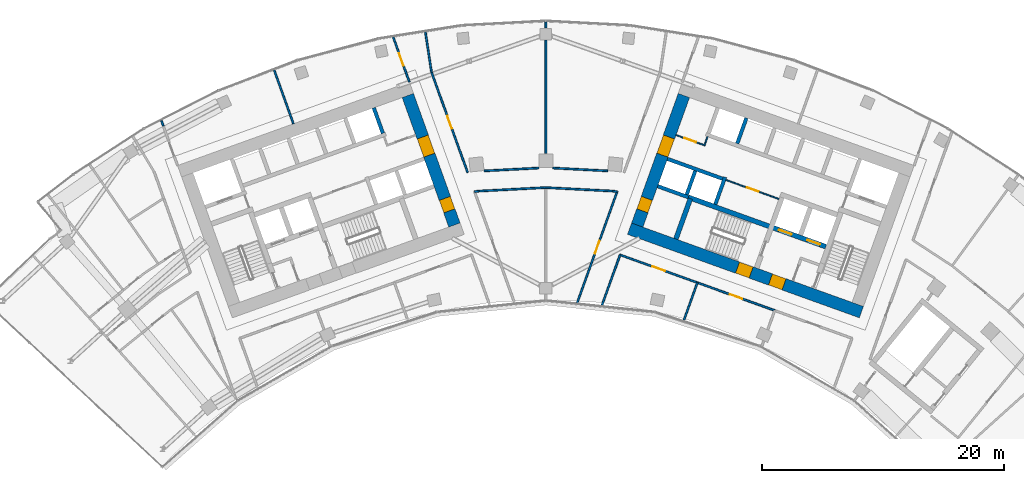
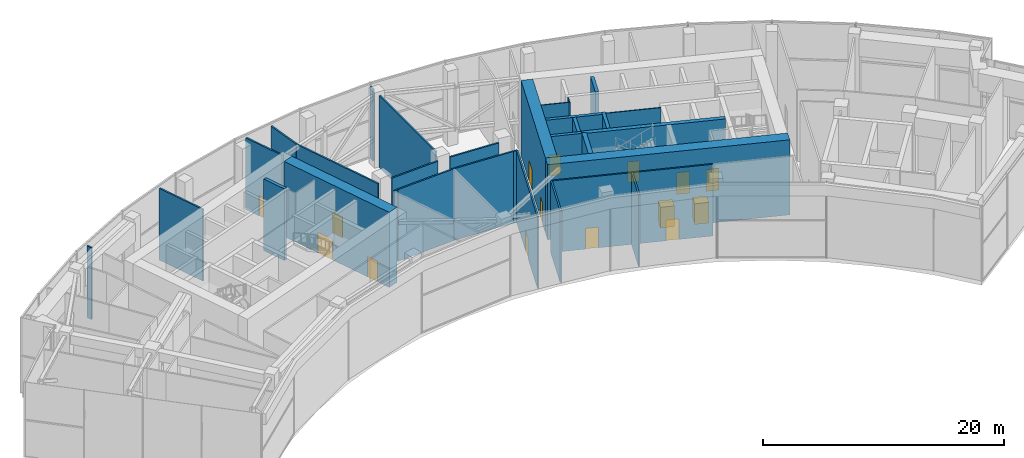
# One storey, part 21 of 26: 32 walls, 15 doors, 15 openings.
"""IFC4 building model written with IfcOpenShell, lengths in metres."""

from ifc_helpers import new_model, si_unit, direction, frame, frame_2d, origin, place, context, subcontext, project, spatial, rectangle, extrude, material, layer, layer_set, type_object, element, fill, save


model = new_model("IFC4")

# Units and contexts
model_context = context("Model", 3, precision=1e-05, world=origin(), true_north=direction((0.0, 1.0)))
body_context = subcontext(model_context, "Body", "Model", "MODEL_VIEW")
ifc_project = project(units=[si_unit("LENGTHUNIT", "METRE"), si_unit("AREAUNIT", "SQUARE_METRE"), si_unit("VOLUMEUNIT", "CUBIC_METRE"), si_unit("PLANEANGLEUNIT", "RADIAN"), si_unit("MASSUNIT", "GRAM", prefix="KILO")], contexts=[model_context])

# Site, building, storey
site_placement = place(None, origin())
site = spatial("IfcSite", under=ifc_project, at=site_placement, CompositionType="ELEMENT")
building_placement = place(site_placement, origin())
building = spatial("IfcBuilding", under=site, at=building_placement, Name="Stone Belt Terrace Tower", CompositionType="ELEMENT")
storey_placement = place(building_placement, frame((0.0, 0.0, 250.39990234375)))
storey = spatial("IfcBuildingStorey", under=building, at=storey_placement, Name="L61", CompositionType="ELEMENT", Elevation=250.39990234375)

# Wall, opening, door
ifc_material_1 = material(Name="Plasterboard partition")
ifc_layer_1 = layer(ifc_material_1, 0.10009765625)
ifc_layer_set_1 = layer_set([ifc_layer_1], Name="Core partition 100")
wall_type_1 = type_object("IfcWallType", Name="Core partition 100", PredefinedType="PARTITIONING", material=ifc_layer_set_1)
wall_1_placement = place(storey_placement, frame((19.29052734375, 51.829833984375, 0.0), z_axis=(0.0, 0.0, 1.0), x_axis=(-0.940930240745, 0.338600475563, 0.0)))
wall_1 = element("IfcWall", 1, at=wall_1_placement, inside=storey, type_object=wall_type_1, Name="Core B wall", PredefinedType="PARTITIONING", context=body_context, shape_type="SweptSolid", body=[
    extrude(rectangle(XDim=4.64990234375, YDim=0.10009765625, at=frame_2d((2.324951171875, 0.0))), origin(), (0.0, 0.0, 1.0), 7.25),
])
opening_1_placement = place(wall_1_placement, frame((1.800048828125, 0.0, 0.0)))
opening_1 = element("IfcOpeningElement", 2, at=opening_1_placement, cuts=wall_1, Name="Opening L61-C12", PredefinedType="OPENING", context=body_context, shape_type="SweptSolid", body=[
    extrude(rectangle(XDim=1.0, YDim=2.10009765625, at=frame_2d((0.5, 1.050048828125))), frame((0.0, 0.06005859375, 0.0), z_axis=(0.0, -1.0, 0.0), x_axis=(1.0, 0.0, 0.0)), (0.0, 0.0, 1.0), 0.1201171875),
])
ifc_material_2 = material(Name="Timber door leaf", Category="wood")
door_type_1 = type_object("IfcDoorType", Name="Core room door 1000", OperationType="SINGLE_SWING_LEFT", PredefinedType="DOOR", material=ifc_material_2)
door_1_placement = place(opening_1_placement, origin())
door_1 = element("IfcDoor", 3, at=door_1_placement, inside=storey, type_object=door_type_1, Name="Door to Print and copy room core B", OperationType="SINGLE_SWING_LEFT", OverallHeight=2.10009765625, OverallWidth=1.0, PredefinedType="DOOR", context=body_context, shape_type="SweptSolid", body=[
    extrude(rectangle(XDim=1.0, YDim=2.10009765625, at=frame_2d((0.5, 1.050048828125))), frame((0.0, 0.02490234375, 0.0), z_axis=(0.0, -1.0, 0.0), x_axis=(1.0, 0.0, 0.0)), (0.0, 0.0, 1.0), 0.050048828125),
])
fill(opening_1, door_1)

# Wall
wall_2_placement = place(storey_placement, frame((13.115966796875, 56.230712890625, 0.0), z_axis=(0.0, 0.0, 1.0), x_axis=(0.338481684961, 0.940972979923, 0.0)))
element("IfcWall", 4, at=wall_2_placement, inside=storey, type_object=wall_type_1, Name="Core B wall", PredefinedType="PARTITIONING", context=body_context, shape_type="SweptSolid", body=[
    extrude(rectangle(XDim=0.7998046875, YDim=0.10009765625, at=frame_2d((0.39990234375, 0.0))), origin(), (0.0, 0.0, 1.0), 7.25),
])

# Wall, opening, door
wall_3_placement = place(storey_placement, frame((13.085693359375, 56.294677734375, 0.0), z_axis=(0.0, 0.0, 1.0), x_axis=(-0.940922976849, 0.338620660383, 0.0)))
wall_3 = element("IfcWall", 5, at=wall_3_placement, inside=storey, type_object=wall_type_1, Name="Core B wall", PredefinedType="PARTITIONING", context=body_context, shape_type="SweptSolid", body=[
    extrude(rectangle(XDim=2.449951171875, YDim=0.10009765625, at=frame_2d((1.22509765625, 0.0))), origin(), (0.0, 0.0, 1.0), 7.25),
])
opening_2_placement = place(wall_3_placement, frame((0.699951171875, 0.0, 0.0)))
opening_2 = element("IfcOpeningElement", 6, at=opening_2_placement, cuts=wall_3, Name="Opening L61-C11", PredefinedType="OPENING", context=body_context, shape_type="SweptSolid", body=[
    extrude(rectangle(XDim=1.0, YDim=2.10009765625, at=frame_2d((0.5, 1.050048828125))), frame((0.0, 0.06005859375, 0.0), z_axis=(0.0, -1.0, 0.0), x_axis=(1.0, 0.0, 0.0)), (0.0, 0.0, 1.0), 0.1201171875),
])
door_2_placement = place(opening_2_placement, origin())
door_2 = element("IfcDoor", 7, at=door_2_placement, inside=storey, type_object=door_type_1, Name="Door to Communications hub room core B", OperationType="SINGLE_SWING_LEFT", OverallHeight=2.10009765625, OverallWidth=1.0, PredefinedType="DOOR", context=body_context, shape_type="SweptSolid", body=[
    extrude(rectangle(XDim=1.0, YDim=2.10009765625, at=frame_2d((0.5, 1.050048828125))), frame((0.0, 0.02490234375, 0.0), z_axis=(0.0, -1.0, 0.0), x_axis=(1.0, 0.0, 0.0)), (0.0, 0.0, 1.0), 0.050048828125),
])
fill(opening_2, door_2)

# Wall, openings, doors
ifc_material_3 = material(Name="Concrete B60", Category="concrete")
ifc_layer_2 = layer(ifc_material_3, 1.0)
ifc_layer_set_2 = layer_set([ifc_layer_2], Name="Core wall 1000 B60")
wall_type_2 = type_object("IfcWallType", Name="Core wall 1000 B60", PredefinedType="SHEAR", material=ifc_layer_set_2)
wall_4_placement = place(storey_placement, frame((-7.567138671875, 49.672119140625, 0.0), z_axis=(0.0, 0.0, 1.0), x_axis=(-0.338625431531, 0.940921259788, 0.0)))
wall_4 = element("IfcWall", 8, at=wall_4_placement, inside=storey, type_object=wall_type_2, Name="Core A wall end_b L61", PredefinedType="SHEAR", context=body_context, shape_type="SweptSolid", body=[
    extrude(rectangle(XDim=11.400146484375, YDim=1.0, at=frame_2d((5.7001953125, 0.0))), origin(), (0.0, 0.0, 1.0), 7.60009765625),
])
opening_3_placement = place(wall_4_placement, frame((6.14990234375, 0.0, 0.0)))
opening_3 = element("IfcOpeningElement", 9, at=opening_3_placement, cuts=wall_4, Name="Opening L61-C04", PredefinedType="OPENING", context=body_context, shape_type="SweptSolid", body=[
    extrude(rectangle(XDim=1.60009765625, YDim=2.10009765625, at=frame_2d((0.800048828125, 1.050048828125))), frame((0.0, 0.510009765625, 0.0), z_axis=(0.0, -1.0, 0.0), x_axis=(1.0, 0.0, 0.0)), (0.0, 0.0, 1.0), 1.02001953125),
])
opening_4_placement = place(wall_4_placement, frame((1.25, 0.0, 0.0)))
opening_4 = element("IfcOpeningElement", 10, at=opening_4_placement, cuts=wall_4, Name="Opening L61-C10", PredefinedType="OPENING", context=body_context, shape_type="SweptSolid", body=[
    extrude(rectangle(XDim=1.10009765625, YDim=2.10009765625, at=frame_2d((0.550048828125, 1.050048828125))), frame((0.0, 0.510009765625, 0.0), z_axis=(0.0, -1.0, 0.0), x_axis=(1.0, 0.0, 0.0)), (0.0, 0.0, 1.0), 1.02001953125),
])
door_type_2 = type_object("IfcDoorType", Name="Core room door 1100", OperationType="SINGLE_SWING_LEFT", PredefinedType="DOOR", material=ifc_material_2)
door_3_placement = place(opening_4_placement, origin())
door_3 = element("IfcDoor", 11, at=door_3_placement, inside=storey, type_object=door_type_2, Name="Door to Mechanical plant room core A", OperationType="SINGLE_SWING_RIGHT", OverallHeight=2.10009765625, OverallWidth=1.10009765625, PredefinedType="DOOR", context=body_context, shape_type="SweptSolid", body=[
    extrude(rectangle(XDim=1.10009765625, YDim=2.10009765625, at=frame_2d((0.550048828125, 1.050048828125))), frame((0.0, 0.47998046875, 0.0), z_axis=(0.0, -1.0, 0.0), x_axis=(1.0, 0.0, 0.0)), (0.0, 0.0, 1.0), 0.9599609375),
])
fill(opening_4, door_3)
ifc_material_4 = material(Name="Glazed aluminium door leaf", Category="aluminium")
door_type_3 = type_object("IfcDoorType", Name="Lift lobby entrance door 1600", OperationType="DOUBLE_DOOR_SINGLE_SWING", PredefinedType="DOOR", material=ifc_material_4)
door_4_placement = place(opening_3_placement, origin())
door_4 = element("IfcDoor", 12, at=door_4_placement, inside=storey, type_object=door_type_3, Name="Lift lobby entrance door core A", OperationType="DOUBLE_DOOR_SINGLE_SWING", OverallHeight=2.10009765625, OverallWidth=1.60009765625, PredefinedType="DOOR", context=body_context, shape_type="SweptSolid", body=[
    extrude(rectangle(XDim=1.60009765625, YDim=2.10009765625, at=frame_2d((0.800048828125, 1.050048828125))), frame((0.0, 0.47998046875, 0.0), z_axis=(0.0, -1.0, 0.0), x_axis=(1.0, 0.0, 0.0)), (0.0, 0.0, 1.0), 0.9599609375),
])
fill(opening_3, door_4)

wall_5_placement = place(storey_placement, frame((6.927490234375, 49.370849609375, 0.0), z_axis=(0.0, 0.0, 1.0), x_axis=(0.940921428504, -0.338624962727, 0.0)))
wall_5 = element("IfcWall", 13, at=wall_5_placement, inside=storey, type_object=wall_type_2, Name="Core B wall concave L61", PredefinedType="SHEAR", context=body_context, shape_type="SweptSolid", body=[
    extrude(rectangle(XDim=20.400146484375, YDim=1.0, at=frame_2d((10.2001953125, 0.0))), origin(), (0.0, 0.0, 1.0), 7.60009765625),
])
opening_5_placement = place(wall_5_placement, frame((12.39990234375, 0.0, 0.0)))
opening_5 = element("IfcOpeningElement", 14, at=opening_5_placement, cuts=wall_5, Name="Opening L61-C17", PredefinedType="OPENING", context=body_context, shape_type="SweptSolid", body=[
    extrude(rectangle(XDim=1.199951171875, YDim=2.10009765625, at=frame_2d((0.60009765625, 1.050048828125))), frame((0.0, 0.510009765625, 0.0), z_axis=(0.0, -1.0, 0.0), x_axis=(1.0, 0.0, 0.0)), (0.0, 0.0, 1.0), 1.02001953125),
])
opening_6_placement = place(wall_5_placement, frame((9.5, 0.0, 0.0)))
opening_6 = element("IfcOpeningElement", 15, at=opening_6_placement, cuts=wall_5, Name="Opening L61-C19", PredefinedType="OPENING", context=body_context, shape_type="SweptSolid", body=[
    extrude(rectangle(XDim=1.199951171875, YDim=2.10009765625, at=frame_2d((0.60009765625, 1.050048828125))), frame((0.0, 0.510009765625, 0.0), z_axis=(0.0, -1.0, 0.0), x_axis=(1.0, 0.0, 0.0)), (0.0, 0.0, 1.0), 1.02001953125),
])
ifc_material_5 = material(Name="Steel door leaf", Category="steel")
door_type_4 = type_object("IfcDoorType", Name="Fire-fighting lobby door 1200", OperationType="SINGLE_SWING_LEFT", PredefinedType="DOOR", material=ifc_material_5)
door_5_placement = place(opening_5_placement, origin())
door_5 = element("IfcDoor", 16, at=door_5_placement, inside=storey, type_object=door_type_4, Name="Fire-fighting lobby door core B", OperationType="SINGLE_SWING_LEFT", OverallHeight=2.10009765625, OverallWidth=1.199951171875, PredefinedType="DOOR", context=body_context, shape_type="SweptSolid", body=[
    extrude(rectangle(XDim=1.199951171875, YDim=2.10009765625, at=frame_2d((0.60009765625, 1.050048828125))), frame((0.0, 0.47998046875, 0.0), z_axis=(0.0, -1.0, 0.0), x_axis=(1.0, 0.0, 0.0)), (0.0, 0.0, 1.0), 0.9599609375),
])
fill(opening_5, door_5)
door_type_5 = type_object("IfcDoorType", Name="Stair door 1200", OperationType="SINGLE_SWING_LEFT", PredefinedType="DOOR", material=ifc_material_5)
door_6_placement = place(opening_6_placement, origin())
door_6 = element("IfcDoor", 17, at=door_6_placement, inside=storey, type_object=door_type_5, Name="Stair 2 exit door core B", OperationType="SINGLE_SWING_RIGHT", OverallHeight=2.10009765625, OverallWidth=1.199951171875, PredefinedType="DOOR", context=body_context, shape_type="SweptSolid", body=[
    extrude(rectangle(XDim=1.199951171875, YDim=2.10009765625, at=frame_2d((0.60009765625, 1.050048828125))), frame((0.0, 0.47998046875, 0.0), z_axis=(0.0, -1.0, 0.0), x_axis=(1.0, 0.0, 0.0)), (0.0, 0.0, 1.0), 0.9599609375),
])
fill(opening_6, door_6)

wall_6_placement = place(storey_placement, frame((7.567138671875, 49.672119140625, 0.0), z_axis=(0.0, 0.0, 1.0), x_axis=(0.338625431531, 0.940921259788, 0.0)))
wall_6 = element("IfcWall", 18, at=wall_6_placement, inside=storey, type_object=wall_type_2, Name="Core B wall end_a L61", PredefinedType="SHEAR", context=body_context, shape_type="SweptSolid", body=[
    extrude(rectangle(XDim=11.400146484375, YDim=1.0, at=frame_2d((5.7001953125, 0.0))), origin(), (0.0, 0.0, 1.0), 7.60009765625),
])
opening_7_placement = place(wall_6_placement, frame((6.14990234375, 0.0, 0.0)))
opening_7 = element("IfcOpeningElement", 19, at=opening_7_placement, cuts=wall_6, Name="Opening L61-C14", PredefinedType="OPENING", context=body_context, shape_type="SweptSolid", body=[
    extrude(rectangle(XDim=1.60009765625, YDim=2.10009765625, at=frame_2d((0.800048828125, 1.050048828125))), frame((0.0, 0.510009765625, 0.0), z_axis=(0.0, -1.0, 0.0), x_axis=(1.0, 0.0, 0.0)), (0.0, 0.0, 1.0), 1.02001953125),
])
opening_8_placement = place(wall_6_placement, frame((1.25, 0.0, 0.0)))
opening_8 = element("IfcOpeningElement", 20, at=opening_8_placement, cuts=wall_6, Name="Opening L61-C20", PredefinedType="OPENING", context=body_context, shape_type="SweptSolid", body=[
    extrude(rectangle(XDim=1.10009765625, YDim=2.10009765625, at=frame_2d((0.550048828125, 1.050048828125))), frame((0.0, 0.510009765625, 0.0), z_axis=(0.0, -1.0, 0.0), x_axis=(1.0, 0.0, 0.0)), (0.0, 0.0, 1.0), 1.02001953125),
])
door_7_placement = place(opening_8_placement, origin())
door_7 = element("IfcDoor", 21, at=door_7_placement, inside=storey, type_object=door_type_2, Name="Door to Mechanical plant room core B", OperationType="SINGLE_SWING_LEFT", OverallHeight=2.10009765625, OverallWidth=1.10009765625, PredefinedType="DOOR", context=body_context, shape_type="SweptSolid", body=[
    extrude(rectangle(XDim=1.10009765625, YDim=2.10009765625, at=frame_2d((0.550048828125, 1.050048828125))), frame((0.0, 0.47998046875, 0.0), z_axis=(0.0, -1.0, 0.0), x_axis=(1.0, 0.0, 0.0)), (0.0, 0.0, 1.0), 0.9599609375),
])
fill(opening_8, door_7)
door_8_placement = place(opening_7_placement, origin())
door_8 = element("IfcDoor", 22, at=door_8_placement, inside=storey, type_object=door_type_3, Name="Lift lobby entrance door core B", OperationType="DOUBLE_DOOR_SINGLE_SWING", OverallHeight=2.10009765625, OverallWidth=1.60009765625, PredefinedType="DOOR", context=body_context, shape_type="SweptSolid", body=[
    extrude(rectangle(XDim=1.60009765625, YDim=2.10009765625, at=frame_2d((0.800048828125, 1.050048828125))), frame((0.0, 0.47998046875, 0.0), z_axis=(0.0, -1.0, 0.0), x_axis=(1.0, 0.0, 0.0)), (0.0, 0.0, 1.0), 0.9599609375),
])
fill(opening_7, door_8)

# Walls
ifc_material_6 = material(Name="Concrete B80", Category="concrete")
ifc_layer_3 = layer(ifc_material_6, 0.300048828125)
ifc_layer_set_3 = layer_set([ifc_layer_3], Name="Lift shaft wall 300")
wall_type_3 = type_object("IfcWallType", Name="Lift shaft wall 300", PredefinedType="SHEAR", material=ifc_layer_set_3)
wall_7_placement = place(storey_placement, frame((-13.48828125, 57.265625, 0.0), z_axis=(0.0, 0.0, 1.0), x_axis=(-0.338631098537, 0.940919220286, 0.0)))
element("IfcWall", 23, at=wall_7_placement, inside=storey, type_object=wall_type_3, Name="Core A wall", PredefinedType="SHEAR", context=body_context, shape_type="SweptSolid", body=[
    extrude(rectangle(XDim=2.250244140625, YDim=0.300048828125, at=frame_2d((1.125, 0.0))), origin(), (0.0, 0.0, 1.0), 7.25),
])
wall_8_placement = place(storey_placement, frame((14.029052734375, 51.38525390625, 0.0), z_axis=(0.0, 0.0, 1.0), x_axis=(0.338661829791, 0.940908159728, 0.0)))
element("IfcWall", 24, at=wall_8_placement, inside=storey, type_object=wall_type_3, Name="Core B wall", PredefinedType="SHEAR", context=body_context, shape_type="SweptSolid", body=[
    extrude(rectangle(XDim=2.39990234375, YDim=0.300048828125, at=frame_2d((1.199951171875, 0.0))), origin(), (0.0, 0.0, 1.0), 7.25),
])
wall_9_placement = place(storey_placement, frame((14.6328125, 53.506103515625, 0.0), z_axis=(0.0, 0.0, 1.0), x_axis=(-0.940931684323, 0.338596464007, 0.0)))
element("IfcWall", 25, at=wall_9_placement, inside=storey, type_object=wall_type_3, Name="Core B wall", PredefinedType="SHEAR", context=body_context, shape_type="SweptSolid", body=[
    extrude(rectangle(XDim=4.849609375, YDim=0.300048828125, at=frame_2d((2.4248046875, 0.0))), origin(), (0.0, 0.0, 1.0), 7.25),
])
wall_10_placement = place(storey_placement, frame((15.8408203125, 56.419189453125, 0.0), z_axis=(0.0, 0.0, 1.0), x_axis=(0.338569601369, 0.940941350472, 0.0)))
element("IfcWall", 26, at=wall_10_placement, inside=storey, type_object=wall_type_3, Name="Core B wall", PredefinedType="SHEAR", context=body_context, shape_type="SweptSolid", body=[
    extrude(rectangle(XDim=2.249755859375, YDim=0.300048828125, at=frame_2d((1.125, 0.0))), origin(), (0.0, 0.0, 1.0), 7.25),
])
wall_11_placement = place(storey_placement, frame((11.797119140625, 51.975830078125, 0.0), z_axis=(0.0, 0.0, 1.0), x_axis=(-0.940910465161, 0.33865542451, 0.0)))
element("IfcWall", 27, at=wall_11_placement, inside=storey, type_object=wall_type_3, Name="Core B wall", PredefinedType="SHEAR", context=body_context, shape_type="SweptSolid", body=[
    extrude(rectangle(XDim=2.69970703125, YDim=0.300048828125, at=frame_2d((1.349853515625, 0.0))), origin(), (0.0, 0.0, 1.0), 7.25),
])
wall_12_placement = place(storey_placement, frame((11.659912109375, 52.184814453125, 0.0), z_axis=(0.0, 0.0, 1.0), x_axis=(0.338670064856, 0.940905195634, 0.0)))
element("IfcWall", 28, at=wall_12_placement, inside=storey, type_object=wall_type_3, Name="Core B wall", PredefinedType="SHEAR", context=body_context, shape_type="SweptSolid", body=[
    extrude(rectangle(XDim=2.099853515625, YDim=0.300048828125, at=frame_2d((1.0498046875, 0.0))), origin(), (0.0, 0.0, 1.0), 7.25),
])
ifc_material_7 = material(Name="Gypsum board partition")
ifc_layer_4 = layer(ifc_material_7, 0.14990234375)
ifc_layer_set_4 = layer_set([ifc_layer_4], Name="PARTITION 150 EI 60")
wall_type_4 = type_object("IfcWallType", Name="PARTITION 150 EI 60", PredefinedType="PARTITIONING", material=ifc_layer_set_4)
wall_13_placement = place(storey_placement, frame((-31.826904296875, 58.31298828125, 0.0), z_axis=(0.0, 0.0, 1.0), x_axis=(0.338665203484, -0.940906945425, 0.0)))
element("IfcWall", 29, at=wall_13_placement, inside=storey, type_object=wall_type_4, Name="L61/wall/i002-1", PredefinedType="PARTITIONING", context=body_context, shape_type="SweptSolid", body=[
    extrude(rectangle(XDim=0.47802734375, YDim=0.14990234375, at=frame_2d((0.239013671875, 0.0))), origin(), (0.0, 0.0, 1.0), 7.25),
])

# Wall, opening, door
wall_14_placement = place(storey_placement, frame((-11.2958984375, 61.509033203125, 0.0), z_axis=(0.0, 0.0, 1.0), x_axis=(-0.338610223579, 0.940926732795, 0.0)))
wall_14 = element("IfcWall", 30, at=wall_14_placement, inside=storey, type_object=wall_type_4, Name="L61/wall/i009", PredefinedType="PARTITIONING", context=body_context, shape_type="SweptSolid", body=[
    extrude(rectangle(XDim=3.956787109375, YDim=0.14990234375, at=frame_2d((1.978515625, 0.0))), origin(), (0.0, 0.0, 1.0), 7.25),
])
opening_9_placement = place(wall_14_placement, frame((1.428466796875, 0.0, 0.0)))
opening_9 = element("IfcOpeningElement", 31, at=opening_9_placement, cuts=wall_14, Name="Opening D-T4-05", PredefinedType="OPENING", context=body_context, shape_type="SweptSolid", body=[
    extrude(rectangle(XDim=1.10009765625, YDim=2.10009765625, at=frame_2d((0.550048828125, 1.050048828125))), frame((0.0, 0.0849609375, 0.0), z_axis=(0.0, -1.0, 0.0), x_axis=(1.0, 0.0, 0.0)), (0.0, 0.0, 1.0), 0.169921875),
])
ifc_material_8 = material(Name="Steel fire door set", Category="steel")
door_type_6 = type_object("IfcDoorType", Name="SERVICE ROOM DOOR 1100 X 2100", OperationType="NOTDEFINED", PredefinedType="DOOR", material=ifc_material_8)
door_9_placement = place(opening_9_placement, origin())
door_9 = element("IfcDoor", 32, at=door_9_placement, inside=storey, type_object=door_type_6, Name="L61/door/i05", OperationType="SINGLE_SWING_RIGHT", OverallHeight=2.10009765625, OverallWidth=1.10009765625, PredefinedType="DOOR", context=body_context, shape_type="SweptSolid", body=[
    extrude(rectangle(XDim=1.10009765625, YDim=2.10009765625, at=frame_2d((0.550048828125, 1.050048828125))), frame((0.0, 0.02490234375, 0.0), z_axis=(0.0, -1.0, 0.0), x_axis=(1.0, 0.0, 0.0)), (0.0, 0.0, 1.0), 0.050048828125),
])
fill(opening_9, door_9)

# Wall
wall_15_placement = place(storey_placement, frame((-9.971923828125, 65.65576171875, 0.0), z_axis=(0.0, 0.0, 1.0), x_axis=(0.150154488208, -0.988662545903, 0.0)))
element("IfcWall", 33, at=wall_15_placement, inside=storey, type_object=wall_type_4, Name="L61/wall/i011", PredefinedType="PARTITIONING", context=body_context, shape_type="SweptSolid", body=[
    extrude(rectangle(XDim=3.35595703125, YDim=0.14990234375, at=frame_2d((1.677978515625, 0.0))), origin(), (0.0, 0.0, 1.0), 7.25),
])

# Wall, opening, door
wall_16_placement = place(storey_placement, frame((-9.468017578125, 62.3369140625, 0.0), z_axis=(0.0, 0.0, 1.0), x_axis=(0.338603075024, -0.940929305307, 0.0)))
wall_16 = element("IfcWall", 34, at=wall_16_placement, inside=storey, type_object=wall_type_4, Name="L61/wall/i012", PredefinedType="PARTITIONING", context=body_context, shape_type="SweptSolid", body=[
    extrude(rectangle(XDim=8.839111328125, YDim=0.14990234375, at=frame_2d((4.41943359375, 0.0))), origin(), (0.0, 0.0, 1.0), 7.25),
])
opening_10_placement = place(wall_16_placement, frame((3.86962890625, 0.0, 0.0)))
opening_10 = element("IfcOpeningElement", 35, at=opening_10_placement, cuts=wall_16, Name="Opening D-T4-27", PredefinedType="OPENING", context=body_context, shape_type="SweptSolid", body=[
    extrude(rectangle(XDim=1.10009765625, YDim=2.10009765625, at=frame_2d((0.550048828125, 1.050048828125))), frame((0.0, 0.0849609375, 0.0), z_axis=(0.0, -1.0, 0.0), x_axis=(1.0, 0.0, 0.0)), (0.0, 0.0, 1.0), 0.169921875),
])
door_10_placement = place(opening_10_placement, origin())
door_10 = element("IfcDoor", 36, at=door_10_placement, inside=storey, type_object=door_type_6, Name="L61/door/i27", OperationType="SINGLE_SWING_LEFT", OverallHeight=2.10009765625, OverallWidth=1.10009765625, PredefinedType="DOOR", context=body_context, shape_type="SweptSolid", body=[
    extrude(rectangle(XDim=1.10009765625, YDim=2.10009765625, at=frame_2d((0.550048828125, 1.050048828125))), frame((0.0, 0.02490234375, 0.0), z_axis=(0.0, -1.0, 0.0), x_axis=(1.0, 0.0, 0.0)), (0.0, 0.0, 1.0), 0.050048828125),
])
fill(opening_10, door_10)

# Walls
wall_17_placement = place(storey_placement, frame((-22.492919921875, 62.4990234375, 0.0), z_axis=(0.0, 0.0, 1.0), x_axis=(0.3387158076, -0.940888729703, 0.0)))
element("IfcWall", 37, at=wall_17_placement, inside=storey, type_object=wall_type_4, Name="L61/wall/i019", PredefinedType="PARTITIONING", context=body_context, shape_type="SweptSolid", body=[
    extrude(rectangle(XDim=4.723388671875, YDim=0.14990234375, at=frame_2d((2.36181640625, 0.0))), origin(), (0.0, 0.0, 1.0), 7.25),
])
wall_18_placement = place(storey_placement, frame((6.14990234375, 47.212890625, 0.0), z_axis=(0.0, 0.0, 1.0), x_axis=(-0.338583902482, -0.940936204522, 0.0)))
element("IfcWall", 38, at=wall_18_placement, inside=storey, type_object=wall_type_4, Name="L61/wall/i020", PredefinedType="PARTITIONING", context=body_context, shape_type="SweptSolid", body=[
    extrude(rectangle(XDim=4.464111328125, YDim=0.14990234375, at=frame_2d((2.23193359375, 0.0))), origin(), (0.0, 0.0, 1.0), 7.25),
])

# Wall, opening, door
wall_19_placement = place(storey_placement, frame((2.590087890625, 43.227783203125, 0.0), z_axis=(0.0, 0.0, 1.0), x_axis=(0.33864618549, 0.940913790447, 0.0)))
wall_19 = element("IfcWall", 39, at=wall_19_placement, inside=storey, type_object=wall_type_4, Name="L61/wall/i022", PredefinedType="PARTITIONING", context=body_context, shape_type="SweptSolid", body=[
    extrude(rectangle(XDim=9.791748046875, YDim=0.14990234375, at=frame_2d((4.89599609375, 0.0))), origin(), (0.0, 0.0, 1.0), 7.25),
])
opening_11_placement = place(wall_19_placement, frame((4.345947265625, 0.0, 0.0)))
opening_11 = element("IfcOpeningElement", 40, at=opening_11_placement, cuts=wall_19, Name="Opening D-T4-26", PredefinedType="OPENING", context=body_context, shape_type="SweptSolid", body=[
    extrude(rectangle(XDim=1.10009765625, YDim=2.10009765625, at=frame_2d((0.550048828125, 1.050048828125))), frame((0.0, 0.0849609375, 0.0), z_axis=(0.0, -1.0, 0.0), x_axis=(1.0, 0.0, 0.0)), (0.0, 0.0, 1.0), 0.169921875),
])
door_11_placement = place(opening_11_placement, origin())
door_11 = element("IfcDoor", 41, at=door_11_placement, inside=storey, type_object=door_type_6, Name="L61/door/i26", OperationType="SINGLE_SWING_RIGHT", OverallHeight=2.10009765625, OverallWidth=1.10009765625, PredefinedType="DOOR", context=body_context, shape_type="SweptSolid", body=[
    extrude(rectangle(XDim=1.10009765625, YDim=2.10009765625, at=frame_2d((0.550048828125, 1.050048828125))), frame((0.0, 0.02490234375, 0.0), z_axis=(0.0, -1.0, 0.0), x_axis=(1.0, 0.0, 0.0)), (0.0, 0.0, 1.0), 0.050048828125),
])
fill(opening_11, door_11)

wall_20_placement = place(storey_placement, frame((12.552978515625, 44.902099609375, 0.0), z_axis=(0.0, 0.0, 1.0), x_axis=(-0.940912101909, 0.338650876982, 0.0)))
wall_20 = element("IfcWall", 42, at=wall_20_placement, inside=storey, type_object=wall_type_4, Name="L61/wall/i031", PredefinedType="PARTITIONING", context=body_context, shape_type="SweptSolid", body=[
    extrude(rectangle(XDim=6.80615234375, YDim=0.14990234375, at=frame_2d((3.403076171875, 0.0))), origin(), (0.0, 0.0, 1.0), 7.25),
])
opening_12_placement = place(wall_20_placement, frame((2.85302734375, 0.0, 0.0)))
opening_12 = element("IfcOpeningElement", 43, at=opening_12_placement, cuts=wall_20, Name="Opening D-T4-06", PredefinedType="OPENING", context=body_context, shape_type="SweptSolid", body=[
    extrude(rectangle(XDim=1.10009765625, YDim=2.10009765625, at=frame_2d((0.550048828125, 1.050048828125))), frame((0.0, 0.0849609375, 0.0), z_axis=(0.0, -1.0, 0.0), x_axis=(1.0, 0.0, 0.0)), (0.0, 0.0, 1.0), 0.169921875),
])
door_12_placement = place(opening_12_placement, origin())
door_12 = element("IfcDoor", 44, at=door_12_placement, inside=storey, type_object=door_type_6, Name="L61/door/i06", OperationType="SINGLE_SWING_LEFT", OverallHeight=2.10009765625, OverallWidth=1.10009765625, PredefinedType="DOOR", context=body_context, shape_type="SweptSolid", body=[
    extrude(rectangle(XDim=1.10009765625, YDim=2.10009765625, at=frame_2d((0.550048828125, 1.050048828125))), frame((0.0, 0.02490234375, 0.0), z_axis=(0.0, -1.0, 0.0), x_axis=(1.0, 0.0, 0.0)), (0.0, 0.0, 1.0), 0.050048828125),
])
fill(opening_12, door_12)

wall_21_placement = place(storey_placement, frame((18.950927734375, 42.60009765625, 0.0), z_axis=(0.0, 0.0, 1.0), x_axis=(-0.940965056221, 0.338503711903, 0.0)))
wall_21 = element("IfcWall", 45, at=wall_21_placement, inside=storey, type_object=wall_type_4, Name="L61/wall/i032", PredefinedType="PARTITIONING", context=body_context, shape_type="SweptSolid", body=[
    extrude(rectangle(XDim=6.81201171875, YDim=0.14990234375, at=frame_2d((3.406005859375, 0.0))), origin(), (0.0, 0.0, 1.0), 7.25),
])
opening_13_placement = place(wall_21_placement, frame((2.856201171875, 0.0, 0.0)))
opening_13 = element("IfcOpeningElement", 46, at=opening_13_placement, cuts=wall_21, Name="Opening D-T4-07", PredefinedType="OPENING", context=body_context, shape_type="SweptSolid", body=[
    extrude(rectangle(XDim=1.10009765625, YDim=2.10009765625, at=frame_2d((0.550048828125, 1.050048828125))), frame((0.0, 0.0849609375, 0.0), z_axis=(0.0, -1.0, 0.0), x_axis=(1.0, 0.0, 0.0)), (0.0, 0.0, 1.0), 0.169921875),
])
door_13_placement = place(opening_13_placement, origin())
door_13 = element("IfcDoor", 47, at=door_13_placement, inside=storey, type_object=door_type_6, Name="L61/door/i07", OperationType="SINGLE_SWING_LEFT", OverallHeight=2.10009765625, OverallWidth=1.10009765625, PredefinedType="DOOR", context=body_context, shape_type="SweptSolid", body=[
    extrude(rectangle(XDim=1.10009765625, YDim=2.10009765625, at=frame_2d((0.550048828125, 1.050048828125))), frame((0.0, 0.02490234375, 0.0), z_axis=(0.0, -1.0, 0.0), x_axis=(1.0, 0.0, 0.0)), (0.0, 0.0, 1.0), 0.050048828125),
])
fill(opening_13, door_13)

# Walls
wall_22_placement = place(storey_placement, frame((12.547119140625, 44.904052734375, 0.0), z_axis=(0.0, 0.0, 1.0), x_axis=(-0.338638830313, -0.940916437631, 0.0)))
element("IfcWall", 48, at=wall_22_placement, inside=storey, type_object=wall_type_4, Name="L61/wall/i034", PredefinedType="PARTITIONING", context=body_context, shape_type="SweptSolid", body=[
    extrude(rectangle(XDim=3.323486328125, YDim=0.14990234375, at=frame_2d((1.66162109375, 0.0))), origin(), (0.0, 0.0, 1.0), 7.25),
])
wall_23_placement = place(storey_placement, frame((0.0, 52.77490234375, 0.0), z_axis=(0.0, 0.0, 1.0), x_axis=(-0.998632077757, -0.052287410285, 0.0)))
element("IfcWall", 49, at=wall_23_placement, inside=storey, type_object=wall_type_4, Name="L61/wall/i070", PredefinedType="PARTITIONING", context=body_context, shape_type="SweptSolid", body=[
    extrude(rectangle(XDim=5.523681640625, YDim=0.14990234375, at=frame_2d((2.76171875, 0.0))), origin(), (0.0, 0.0, 1.0), 7.25),
])
for number, where, z_axis, x_axis, name in (
    (50, (-5.51611328125, 52.486083984375, 0.0), (0.0, 0.0, 1.0), (-0.991780421826, -0.127951533338, 0.0), "L61/wall/i071"),
    (51, (5.904052734375, 52.43603515625, 0.0), (0.0, 0.0, 1.0), (-0.991780421826, 0.127951533338, 0.0), "L61/wall/i072"),
):
    element("IfcWall", number, at=place(storey_placement, frame(where, z_axis=z_axis, x_axis=x_axis)), inside=storey, type_object=wall_type_4, Name=name, PredefinedType="PARTITIONING", context=body_context, shape_type="SweptSolid", body=[
        extrude(rectangle(XDim=0.39111328125, YDim=0.14990234375, at=frame_2d((0.195556640625, 0.0))), origin(), (0.0, 0.0, 1.0), 7.25),
    ])
wall_24_placement = place(storey_placement, frame((5.51611328125, 52.486083984375, 0.0), z_axis=(0.0, 0.0, 1.0), x_axis=(-0.998632077757, 0.052287410285, 0.0)))
element("IfcWall", 52, at=wall_24_placement, inside=storey, type_object=wall_type_4, Name="L61/wall/i073", PredefinedType="PARTITIONING", context=body_context, shape_type="SweptSolid", body=[
    extrude(rectangle(XDim=5.523681640625, YDim=0.14990234375, at=frame_2d((2.76171875, 0.0))), origin(), (0.0, 0.0, 1.0), 7.25),
])
for number, where, z_axis, x_axis, name in (
    (53, (-5.114013671875, 54.1572265625, 0.0), (0.0, 0.0, 1.0), (0.998631882583, 0.052291137769, 0.0), "L61/wall/i074"),
    (54, (0.57275390625, 54.39501953125, 0.0), (0.0, 0.0, 1.0), (0.998631882583, -0.052291137769, 0.0), "L61/wall/i075"),
):
    element("IfcWall", number, at=place(storey_placement, frame(where, z_axis=z_axis, x_axis=x_axis)), inside=storey, type_object=wall_type_4, Name=name, PredefinedType="PARTITIONING", context=body_context, shape_type="SweptSolid", body=[
        extrude(rectangle(XDim=4.54736328125, YDim=0.14990234375, at=frame_2d((2.273681640625, 0.0))), origin(), (0.0, 0.0, 1.0), 7.25),
    ])
wall_25_placement = place(storey_placement, frame((0.0, 66.5, 0.0), z_axis=(0.0, 0.0, 1.0), x_axis=(0.0, -1.0, 0.0)))
element("IfcWall", 55, at=wall_25_placement, inside=storey, type_object=wall_type_4, Name="L61/wall/i078", PredefinedType="PARTITIONING", context=body_context, shape_type="SweptSolid", body=[
    extrude(rectangle(XDim=0.506103515625, YDim=0.14990234375, at=frame_2d((0.2529296875, 0.0))), origin(), (0.0, 0.0, 1.0), 7.25),
])
wall_26_placement = place(storey_placement, frame((0.0, 64.98388671875, 0.0), z_axis=(0.0, 0.0, 1.0), x_axis=(0.0, -1.0, 0.0)))
element("IfcWall", 56, at=wall_26_placement, inside=storey, type_object=wall_type_4, Name="L61/wall/i079", PredefinedType="PARTITIONING", context=body_context, shape_type="SweptSolid", body=[
    extrude(rectangle(XDim=9.37890625, YDim=0.14990234375, at=frame_2d((4.689453125, 0.0))), origin(), (0.0, 0.0, 1.0), 7.25),
])

# Wall, openings, doors
ifc_layer_5 = layer(ifc_material_6, 0.39990234375)
ifc_layer_set_5 = layer_set([ifc_layer_5], Name="Stair enclosure wall 400")
wall_type_5 = type_object("IfcWallType", Name="Stair enclosure wall 400", PredefinedType="SHEAR", material=ifc_layer_set_5)
wall_27_placement = place(storey_placement, frame((23.182373046875, 47.87841796875, 0.0), z_axis=(0.0, 0.0, 1.0), x_axis=(-0.940921101762, 0.338625870628, 0.0)))
wall_27 = element("IfcWall", 57, at=wall_27_placement, inside=storey, type_object=wall_type_5, Name="Core B wall", PredefinedType="SHEAR", context=body_context, shape_type="SweptSolid", body=[
    extrude(rectangle(XDim=12.10009765625, YDim=0.39990234375, at=frame_2d((6.050048828125, 0.0))), origin(), (0.0, 0.0, 1.0), 7.25),
])
opening_14_placement = place(wall_27_placement, frame((0.52001953125, 0.0, 0.0)))
opening_14 = element("IfcOpeningElement", 58, at=opening_14_placement, cuts=wall_27, Name="Opening L61-LD04", PredefinedType="OPENING", context=body_context, shape_type="SweptSolid", body=[
    extrude(rectangle(XDim=1.10009765625, YDim=2.199951171875, at=frame_2d((0.550048828125, 1.10009765625))), frame((0.0, 0.2099609375, 0.0), z_axis=(0.0, -1.0, 0.0), x_axis=(1.0, 0.0, 0.0)), (0.0, 0.0, 1.0), 0.419921875),
])
opening_15_placement = place(wall_27_placement, frame((3.02001953125, 0.0, 0.0)))
opening_15 = element("IfcOpeningElement", 59, at=opening_15_placement, cuts=wall_27, Name="Opening L61-LD05", PredefinedType="OPENING", context=body_context, shape_type="SweptSolid", body=[
    extrude(rectangle(XDim=1.10009765625, YDim=2.199951171875, at=frame_2d((0.550048828125, 1.10009765625))), frame((0.0, 0.2099609375, 0.0), z_axis=(0.0, -1.0, 0.0), x_axis=(1.0, 0.0, 0.0)), (0.0, 0.0, 1.0), 0.419921875),
])
ifc_material_9 = material(Name="Stainless steel door leaf", Category="steel")
door_type_7 = type_object("IfcDoorType", Name="Landing door 1100", OperationType="SLIDING_TO_LEFT", PredefinedType="DOOR", material=ifc_material_9)
door_14_placement = place(opening_14_placement, origin())
door_14 = element("IfcDoor", 60, at=door_14_placement, inside=storey, type_object=door_type_7, Name="Landing door FF1 core B", OperationType="SLIDING_TO_LEFT", OverallHeight=2.199951171875, OverallWidth=1.10009765625, PredefinedType="DOOR", context=body_context, shape_type="SweptSolid", body=[
    extrude(rectangle(XDim=1.10009765625, YDim=2.199951171875, at=frame_2d((0.550048828125, 1.10009765625))), frame((0.0, 0.02490234375, 0.0), z_axis=(0.0, -1.0, 0.0), x_axis=(1.0, 0.0, 0.0)), (0.0, 0.0, 1.0), 0.050048828125),
])
fill(opening_14, door_14)
door_15_placement = place(opening_15_placement, origin())
door_15 = element("IfcDoor", 61, at=door_15_placement, inside=storey, type_object=door_type_7, Name="Landing door FF2 core B", OperationType="SLIDING_TO_LEFT", OverallHeight=2.199951171875, OverallWidth=1.10009765625, PredefinedType="DOOR", context=body_context, shape_type="SweptSolid", body=[
    extrude(rectangle(XDim=1.10009765625, YDim=2.199951171875, at=frame_2d((0.550048828125, 1.10009765625))), frame((0.0, 0.02490234375, 0.0), z_axis=(0.0, -1.0, 0.0), x_axis=(1.0, 0.0, 0.0)), (0.0, 0.0, 1.0), 0.050048828125),
])
fill(opening_15, door_15)

# Wall
wall_28_placement = place(storey_placement, frame((10.766357421875, 48.520751953125, 0.0), z_axis=(0.0, 0.0, 1.0), x_axis=(0.338626928157, 0.94092072117, 0.0)))
element("IfcWall", 62, at=wall_28_placement, inside=storey, type_object=wall_type_5, Name="Core B wall", PredefinedType="SHEAR", context=body_context, shape_type="SweptSolid", body=[
    extrude(rectangle(XDim=3.550048828125, YDim=0.39990234375, at=frame_2d((1.77490234375, 0.0))), origin(), (0.0, 0.0, 1.0), 7.25),
])

save(model, "model.ifc")
